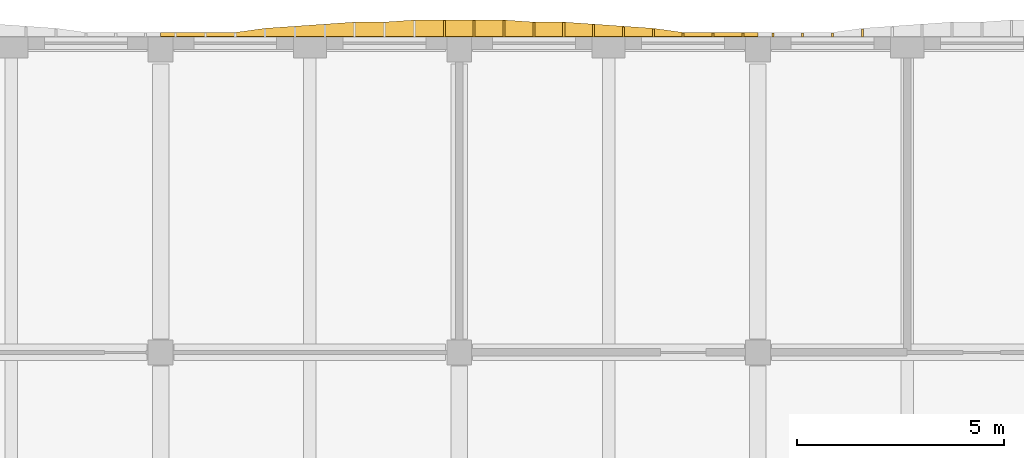
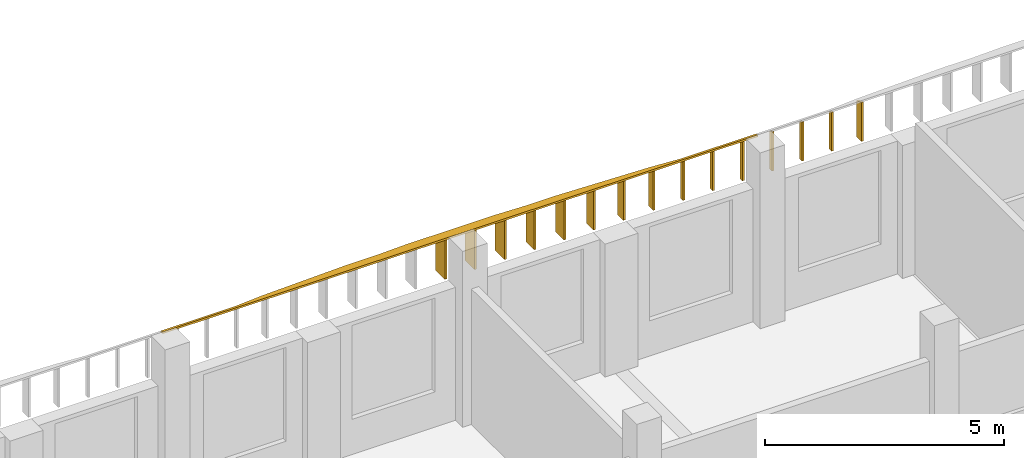
# One storey, part 33 of 44: 16 shading devices.
"""IFC4 building model written with IfcOpenShell, lengths in metres."""

from ifc_helpers import new_model, si_unit, direction, frame, origin, place, context, subcontext, project, spatial, polyline, outline, extrude, material, layer, layer_set, type_object, element, save


model = new_model("IFC4")

# Units and contexts
model_context = context("Model", 3, precision=1e-05, world=origin(), true_north=direction((0.0, 1.0)))
body_context = subcontext(model_context, "Body", "Model", "MODEL_VIEW")
ifc_project = project(units=[si_unit("LENGTHUNIT", "METRE"), si_unit("AREAUNIT", "SQUARE_METRE"), si_unit("VOLUMEUNIT", "CUBIC_METRE"), si_unit("PLANEANGLEUNIT", "RADIAN"), si_unit("MASSUNIT", "GRAM", prefix="KILO")], contexts=[model_context])

# Site, building, storey
site_placement = place(None, origin())
site = spatial("IfcSite", under=ifc_project, at=site_placement, CompositionType="ELEMENT")
building_placement = place(site_placement, origin())
building = spatial("IfcBuilding", under=site, at=building_placement, Name="Ussher Court Research Institute", CompositionType="ELEMENT")
storey_placement = place(building_placement, frame((0.0, 0.0, 18.89990234375)))
storey = spatial("IfcBuildingStorey", under=building, at=storey_placement, Name="L04", CompositionType="ELEMENT", Elevation=18.89990234375)

# Shading devices
ifc_material_1 = material(Name="Bronze anodised aluminium", Category="aluminium")
ifc_layer_1 = layer(ifc_material_1, 0.050048828125)
ifc_layer_set_1 = layer_set([ifc_layer_1], Name="Bronze anodised aluminium")
shading_device_type_1 = type_object("IfcShadingDeviceType", Name="Brim blade 100 mm deep 1000 mm high canted 20 deg dry", PredefinedType="USERDEFINED", material=ifc_layer_set_1)
for number, where, z_axis, x_axis, name in (
    (1, (30.0, 90.800048828125, 3.4501953125), (0.0, 0.0, 1.0), (0.0, 1.0, 0.0), "Brim blade BS17 L04"),
    (2, (30.719970703125, 90.800048828125, 3.4501953125), (0.0, 0.0, 1.0), (0.0, 1.0, 0.0), "Brim blade BS17 L04"),
    (3, (31.43994140625, 90.800048828125, 3.4501953125), (0.0, 0.0, 1.0), (0.0, 1.0, 0.0), "Brim blade BS17 L04"),
    (4, (32.159912109375, 90.800048828125, 3.4501953125), (0.0, 0.0, 1.0), (0.0, 1.0, 0.0), "Brim blade BS17 L04"),
    (5, (32.8798828125, 90.800048828125, 3.4501953125), (0.0, 0.0, 1.0), (0.0, 1.0, 0.0), "Brim blade BS17 L04"),
    (6, (33.60009765625, 90.800048828125, 3.4501953125), (0.0, 0.0, 1.0), (0.0, 1.0, 0.0), "Brim blade BS17 L04"),
):
    element("IfcShadingDevice", number, at=place(storey_placement, frame(where, z_axis=z_axis, x_axis=x_axis)), inside=storey, type_object=shading_device_type_1, Name=name, ObjectType="BLADE", PredefinedType="USERDEFINED", context=body_context, shape_type="SweptSolid", body=[
        extrude(outline(polyline([(0.0, 0.0), (0.099853515625, 0.0), (0.10009765625, 0.963623046875), (0.0, 1.0), (0.0, 0.0)])), frame((0.0, 0.02490234375, 0.0), z_axis=(0.0, -1.0, 0.0), x_axis=(1.0, 0.0, 0.0)), (0.0, 0.0, 1.0), 0.050048828125),
    ])
ifc_material_2 = material(Name="Bronze anodised aluminium", Category="aluminium")
ifc_layer_2 = layer(ifc_material_2, 0.050048828125)
ifc_layer_set_2 = layer_set([ifc_layer_2], Name="Bronze anodised aluminium")
shading_device_type_2 = type_object("IfcShadingDeviceType", Name="Brim blade 200 mm deep 1000 mm high canted 20 deg dry", PredefinedType="USERDEFINED", material=ifc_layer_set_2)
for number, where, z_axis, x_axis, name in (
    (7, (29.280029296875, 90.800048828125, 3.4501953125), (0.0, 0.0, 1.0), (0.0, 1.0, 0.0), "Brim blade BS15 L04"),
    (8, (34.320068359375, 90.800048828125, 3.4501953125), (0.0, 0.0, 1.0), (0.0, 1.0, 0.0), "Brim blade BS15 L04"),
):
    element("IfcShadingDevice", number, at=place(storey_placement, frame(where, z_axis=z_axis, x_axis=x_axis)), inside=storey, type_object=shading_device_type_2, Name=name, ObjectType="BLADE", PredefinedType="USERDEFINED", context=body_context, shape_type="SweptSolid", body=[
        extrude(outline(polyline([(0.0, 0.0), (0.199951171875, 0.0), (0.199951171875, 0.927001953125), (0.0, 1.0), (0.0, 0.0)])), frame((0.0, 0.02490234375, 0.0), z_axis=(0.0, -1.0, 0.0), x_axis=(1.0, 0.0, 0.0)), (0.0, 0.0, 1.0), 0.050048828125),
    ])
ifc_material_3 = material(Name="Bronze anodised aluminium", Category="aluminium")
ifc_layer_3 = layer(ifc_material_3, 0.050048828125)
ifc_layer_set_3 = layer_set([ifc_layer_3], Name="Bronze anodised aluminium")
shading_device_type_3 = type_object("IfcShadingDeviceType", Name="Brim blade 250 mm deep 1000 mm high canted 20 deg dry", PredefinedType="USERDEFINED", material=ifc_layer_set_3)
shading_device_1_placement = place(storey_placement, frame((28.56005859375, 90.800048828125, 3.4501953125), z_axis=(0.0, 0.0, 1.0), x_axis=(0.0, 1.0, 0.0)))
element("IfcShadingDevice", 9, at=shading_device_1_placement, inside=storey, type_object=shading_device_type_3, Name="Brim blade BS14 L04", ObjectType="BLADE", PredefinedType="USERDEFINED", context=body_context, shape_type="SweptSolid", body=[
    extrude(outline(polyline([(0.0, 0.0), (0.25, 0.0), (0.25, 0.908935546875), (0.0, 1.0), (0.0, 0.0)])), frame((0.0, 0.02490234375, 0.0), z_axis=(0.0, -1.0, 0.0), x_axis=(1.0, 0.0, 0.0)), (0.0, 0.0, 1.0), 0.050048828125),
])
ifc_material_4 = material(Name="Bronze anodised aluminium", Category="aluminium")
ifc_layer_4 = layer(ifc_material_4, 0.050048828125)
ifc_layer_set_4 = layer_set([ifc_layer_4], Name="Bronze anodised aluminium")
shading_device_type_4 = type_object("IfcShadingDeviceType", Name="Brim blade 300 mm deep 1000 mm high canted 20 deg dry", PredefinedType="USERDEFINED", material=ifc_layer_set_4)
shading_device_2_placement = place(storey_placement, frame((27.840087890625, 90.800048828125, 3.4501953125), z_axis=(0.0, 0.0, 1.0), x_axis=(0.0, 1.0, 0.0)))
element("IfcShadingDevice", 10, at=shading_device_2_placement, inside=storey, type_object=shading_device_type_4, Name="Brim blade BS13 L04", ObjectType="BLADE", PredefinedType="USERDEFINED", context=body_context, shape_type="SweptSolid", body=[
    extrude(outline(polyline([(0.0, 0.0), (0.300048828125, 0.0), (0.300048828125, 0.890625), (0.0, 1.0), (0.0, 0.0)])), frame((0.0, 0.02490234375, 0.0), z_axis=(0.0, -1.0, 0.0), x_axis=(1.0, 0.0, 0.0)), (0.0, 0.0, 1.0), 0.050048828125),
])
ifc_material_5 = material(Name="Bronze anodised aluminium", Category="aluminium")
ifc_layer_5 = layer(ifc_material_5, 0.050048828125)
ifc_layer_set_5 = layer_set([ifc_layer_5], Name="Bronze anodised aluminium")
shading_device_type_5 = type_object("IfcShadingDeviceType", Name="Brim blade 350 mm deep 1000 mm high canted 20 deg dry", PredefinedType="USERDEFINED", material=ifc_layer_set_5)
for number, where, z_axis, x_axis, name in (
    (11, (26.39990234375, 90.800048828125, 3.4501953125), (0.0, 0.0, 1.0), (0.0, 1.0, 0.0), "Brim blade BS12 L04"),
    (12, (27.1201171875, 90.800048828125, 3.4501953125), (0.0, 0.0, 1.0), (0.0, 1.0, 0.0), "Brim blade BS12 L04"),
):
    element("IfcShadingDevice", number, at=place(storey_placement, frame(where, z_axis=z_axis, x_axis=x_axis)), inside=storey, type_object=shading_device_type_5, Name=name, ObjectType="BLADE", PredefinedType="USERDEFINED", context=body_context, shape_type="SweptSolid", body=[
        extrude(outline(polyline([(0.0, 0.0), (0.349853515625, 0.0), (0.35009765625, 0.87255859375), (0.0, 1.0), (0.0, 0.0)])), frame((0.0, 0.02490234375, 0.0), z_axis=(0.0, -1.0, 0.0), x_axis=(1.0, 0.0, 0.0)), (0.0, 0.0, 1.0), 0.050048828125),
    ])
ifc_material_6 = material(Name="Bronze anodised aluminium", Category="aluminium")
ifc_layer_6 = layer(ifc_material_6, 0.050048828125)
ifc_layer_set_6 = layer_set([ifc_layer_6], Name="Bronze anodised aluminium")
shading_device_type_6 = type_object("IfcShadingDeviceType", Name="Brim blade 400 mm deep 1000 mm high canted 20 deg dry", PredefinedType="USERDEFINED", material=ifc_layer_set_6)
for number, where, z_axis, x_axis, name in (
    (13, (24.239990234375, 90.800048828125, 3.4501953125), (0.0, 0.0, 1.0), (0.0, 1.0, 0.0), "Brim blade BS11 L04"),
    (14, (24.9599609375, 90.800048828125, 3.4501953125), (0.0, 0.0, 1.0), (0.0, 1.0, 0.0), "Brim blade BS11 L04"),
    (15, (25.679931640625, 90.800048828125, 3.4501953125), (0.0, 0.0, 1.0), (0.0, 1.0, 0.0), "Brim blade BS11 L04"),
):
    element("IfcShadingDevice", number, at=place(storey_placement, frame(where, z_axis=z_axis, x_axis=x_axis)), inside=storey, type_object=shading_device_type_6, Name=name, ObjectType="BLADE", PredefinedType="USERDEFINED", context=body_context, shape_type="SweptSolid", body=[
        extrude(outline(polyline([(0.0, 0.0), (0.39990234375, 0.0), (0.39990234375, 0.854248046875), (0.0, 1.0), (0.0, 0.0)])), frame((0.0, 0.02490234375, 0.0), z_axis=(0.0, -1.0, 0.0), x_axis=(1.0, 0.0, 0.0)), (0.0, 0.0, 1.0), 0.050048828125),
    ])
ifc_material_7 = material(Name="Bronze anodised aluminium", Category="aluminium")
ifc_layer_7 = layer(ifc_material_7, 0.0400390625)
ifc_layer_set_7 = layer_set([ifc_layer_7], Name="Bronze anodised aluminium")
shading_device_type_7 = type_object("IfcShadingDeviceType", Name="Brim visor sheet 40 mm canted 20 deg dry", PredefinedType="USERDEFINED", material=ifc_layer_set_7)
shading_device_3_placement = place(storey_placement, frame((17.39990234375, 90.813720703125, 4.48779296875), z_axis=(0.0, 0.342255779972, 0.9396068226), x_axis=(1.0, 0.0, 0.0)))
element("IfcShadingDevice", 16, at=shading_device_3_placement, inside=storey, type_object=shading_device_type_7, Name="Brim visor sheet BR2 L04", ObjectType="BRIM", PredefinedType="USERDEFINED", context=body_context, shape_type="SweptSolid", body=[
    extrude(outline(polyline([(0.0, 0.0), (14.400146484375, 0.0), (14.400146484375, 0.10650266320353347), (14.0400390625, 0.10650266320353347), (13.320068359375, 0.10650266320353347), (12.60009765625, 0.10650266320353347), (11.880126953125, 0.21285948875017546), (11.16015625, 0.2660690410819261), (10.440185546875, 0.319362151953709), (9.72021484375, 0.3725717042854596), (9.0, 0.3725717042854596), (8.280029296875, 0.4256354189603187), (7.56005859375, 0.4256354189603187), (6.840087890625, 0.4256354189603187), (6.1201171875, 0.4256354189603187), (5.400146484375, 0.3725717042854596), (4.68017578125, 0.3725717042854596), (3.960205078125, 0.319362151953709), (3.239990234375, 0.2660690410819261), (2.52001953125, 0.21285948875017546), (1.800048828125, 0.10650266320353347), (1.080078125, 0.10650266320353347), (0.360107421875, 0.10650266320353347), (0.0, 0.10650266320353347), (0.0, 0.0)])), origin(), (0.0, 0.0, -1.0), 0.0400390625),
])

save(model, "model.ifc")
